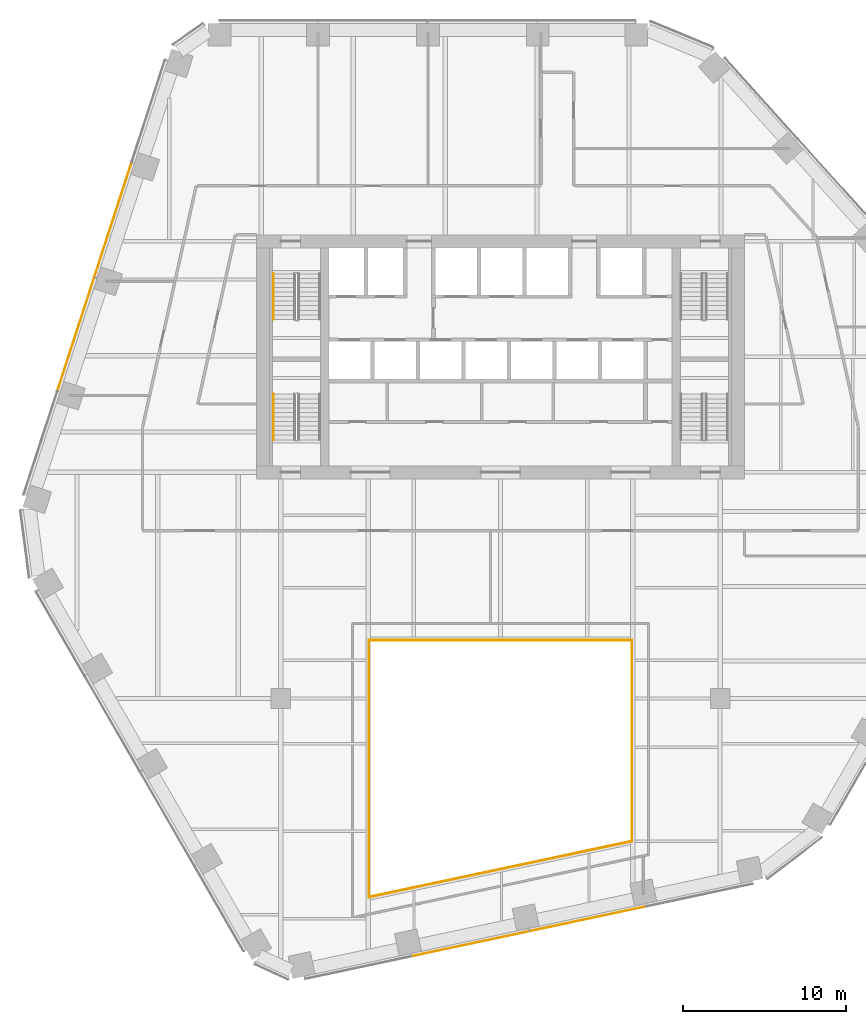
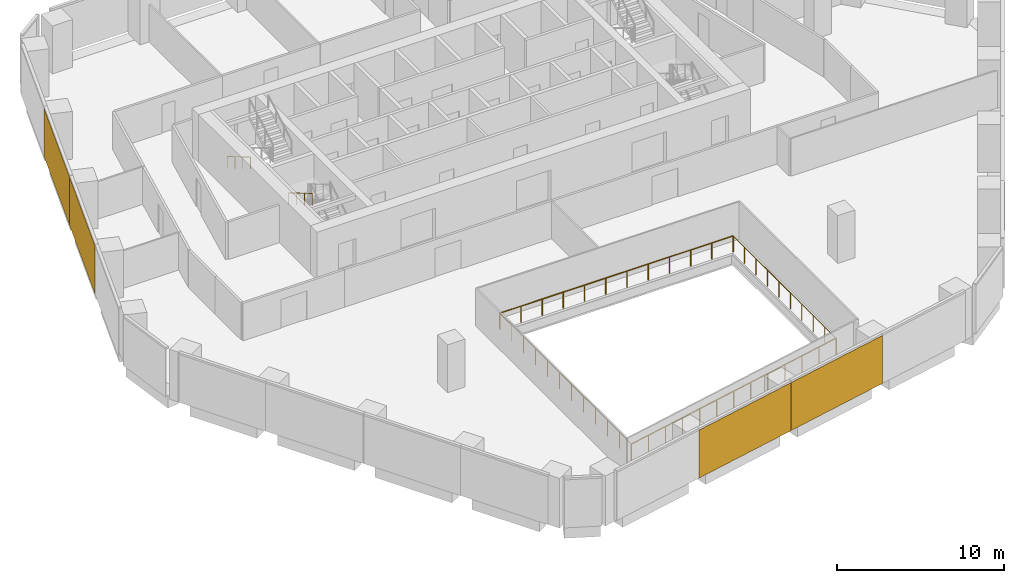
# One storey, part 14 of 16: 6 railings, 4 coverings, 2 elements without a shape of their own.
"""IFC4 building model written with IfcOpenShell, lengths in metres."""

from ifc_helpers import new_model, si_unit, direction, frame, origin, origin_2d, place, context, subcontext, project, spatial, rectangle, circle, extrude, material, layer, layer_set, type_object, element, aggregate, save


model = new_model("IFC4")

# Units and contexts
model_context = context("Model", 3, precision=1e-05, world=origin(), true_north=direction((0.0, 1.0)))
body_context = subcontext(model_context, "Body", "Model", "MODEL_VIEW")
ifc_project = project(units=[si_unit("LENGTHUNIT", "METRE"), si_unit("AREAUNIT", "SQUARE_METRE"), si_unit("VOLUMEUNIT", "CUBIC_METRE"), si_unit("PLANEANGLEUNIT", "RADIAN"), si_unit("MASSUNIT", "GRAM", prefix="KILO")], contexts=[model_context])

# Site, building, storey
site_placement = place(None, origin())
site = spatial("IfcSite", under=ifc_project, at=site_placement, CompositionType="ELEMENT")
building_placement = place(site_placement, origin())
building = spatial("IfcBuilding", under=site, at=building_placement, Name="Isthmus Gate Tower", CompositionType="ELEMENT")
storey_placement = place(building_placement, frame((0.0, 0.0, 140.75)))
storey = spatial("IfcBuildingStorey", under=building, at=storey_placement, Name="L34", CompositionType="ELEMENT", Elevation=140.75)

# Railings
ifc_material_1 = material(Name="Laminated toughened glass balustrade with steel rail", Category="steel")
railing_type_1 = type_object("IfcRailingType", Name="ATRIUM GUARD GLASS BALUSTRADE 1200", PredefinedType="GUARDRAIL", material=ifc_material_1)
railing_1_placement = place(storey_placement, frame((-8.080078125, -25.7099609375, 0.0)))
element("IfcRailing", 1, at=railing_1_placement, inside=storey, type_object=railing_type_1, Name="L34 atrium guard", PredefinedType="GUARDRAIL", context=body_context, shape_type="SweptSolid", body=[
    extrude(circle(Radius=0.02490234375, at=origin_2d()), frame((0.0, 0.0, 1.1748046875), z_axis=(0.0, 1.0, 0.0), x_axis=(-1.0, 0.0, 0.0)), (0.0, 0.0, 1.0), 15.7900390625),
    extrude(circle(Radius=0.02490234375, at=origin_2d()), origin(), (0.0, 0.0, 1.0), 1.14990234375),
    extrude(circle(Radius=0.02490234375, at=origin_2d()), frame((0.0, 1.435546875, 0.0)), (0.0, 0.0, 1.0), 1.14990234375),
    extrude(circle(Radius=0.02490234375, at=origin_2d()), frame((0.0, 2.870849609375, 0.0)), (0.0, 0.0, 1.0), 1.14990234375),
    extrude(circle(Radius=0.02490234375, at=origin_2d()), frame((0.0, 4.306396484375, 0.0)), (0.0, 0.0, 1.0), 1.14990234375),
    extrude(circle(Radius=0.02490234375, at=origin_2d()), frame((0.0, 5.741943359375, 0.0)), (0.0, 0.0, 1.0), 1.14990234375),
    extrude(circle(Radius=0.02490234375, at=origin_2d()), frame((0.0, 7.17724609375, 0.0)), (0.0, 0.0, 1.0), 1.14990234375),
    extrude(circle(Radius=0.02490234375, at=origin_2d()), frame((0.0, 8.61279296875, 0.0)), (0.0, 0.0, 1.0), 1.14990234375),
    extrude(circle(Radius=0.02490234375, at=origin_2d()), frame((0.0, 10.048095703125, 0.0)), (0.0, 0.0, 1.0), 1.14990234375),
    extrude(circle(Radius=0.02490234375, at=origin_2d()), frame((0.0, 11.483642578125, 0.0)), (0.0, 0.0, 1.0), 1.14990234375),
    extrude(circle(Radius=0.02490234375, at=origin_2d()), frame((0.0, 12.919189453125, 0.0)), (0.0, 0.0, 1.0), 1.14990234375),
    extrude(circle(Radius=0.02490234375, at=origin_2d()), frame((0.0, 14.3544921875, 0.0)), (0.0, 0.0, 1.0), 1.14990234375),
    extrude(circle(Radius=0.02490234375, at=origin_2d()), frame((0.0, 15.7900390625, 0.0)), (0.0, 0.0, 1.0), 1.14990234375),
])
railing_2_placement = place(storey_placement, frame((-8.080078125, -9.919921875, 0.0)))
element("IfcRailing", 2, at=railing_2_placement, inside=storey, type_object=railing_type_1, Name="L34 atrium guard", PredefinedType="GUARDRAIL", context=body_context, shape_type="SweptSolid", body=[
    extrude(circle(Radius=0.02490234375, at=origin_2d()), frame((0.0, 0.0, 1.1748046875), z_axis=(1.0, 0.0, 0.0), x_axis=(0.0, 1.0, 0.0)), (0.0, 0.0, 1.0), 16.16015625),
    extrude(circle(Radius=0.02490234375, at=origin_2d()), origin(), (0.0, 0.0, 1.0), 1.14990234375),
    extrude(circle(Radius=0.02490234375, at=origin_2d()), frame((1.468994140625, 0.0, 0.0)), (0.0, 0.0, 1.0), 1.14990234375),
    extrude(circle(Radius=0.02490234375, at=origin_2d()), frame((2.938232421875, 0.0, 0.0)), (0.0, 0.0, 1.0), 1.14990234375),
    extrude(circle(Radius=0.02490234375, at=origin_2d()), frame((4.4072265625, 0.0, 0.0)), (0.0, 0.0, 1.0), 1.14990234375),
    extrude(circle(Radius=0.02490234375, at=origin_2d()), frame((5.87646484375, 0.0, 0.0)), (0.0, 0.0, 1.0), 1.14990234375),
    extrude(circle(Radius=0.02490234375, at=origin_2d()), frame((7.345458984375, 0.0, 0.0)), (0.0, 0.0, 1.0), 1.14990234375),
    extrude(circle(Radius=0.02490234375, at=origin_2d()), frame((8.814697265625, 0.0, 0.0)), (0.0, 0.0, 1.0), 1.14990234375),
    extrude(circle(Radius=0.02490234375, at=origin_2d()), frame((10.28369140625, 0.0, 0.0)), (0.0, 0.0, 1.0), 1.14990234375),
    extrude(circle(Radius=0.02490234375, at=origin_2d()), frame((11.7529296875, 0.0, 0.0)), (0.0, 0.0, 1.0), 1.14990234375),
    extrude(circle(Radius=0.02490234375, at=origin_2d()), frame((13.221923828125, 0.0, 0.0)), (0.0, 0.0, 1.0), 1.14990234375),
    extrude(circle(Radius=0.02490234375, at=origin_2d()), frame((14.691162109375, 0.0, 0.0)), (0.0, 0.0, 1.0), 1.14990234375),
    extrude(circle(Radius=0.02490234375, at=origin_2d()), frame((16.16015625, 0.0, 0.0)), (0.0, 0.0, 1.0), 1.14990234375),
])
railing_3_placement = place(storey_placement, frame((8.080078125, -9.919921875, 0.0)))
element("IfcRailing", 3, at=railing_3_placement, inside=storey, type_object=railing_type_1, Name="L34 atrium guard", PredefinedType="GUARDRAIL", context=body_context, shape_type="SweptSolid", body=[
    extrude(circle(Radius=0.02490234375, at=origin_2d()), frame((0.0, 0.0, 1.1748046875), z_axis=(0.0, -1.0, 0.0), x_axis=(1.0, 0.0, 0.0)), (0.0, 0.0, 1.0), 12.35498046875),
    extrude(circle(Radius=0.02490234375, at=origin_2d()), origin(), (0.0, 0.0, 1.0), 1.14990234375),
    extrude(circle(Radius=0.02490234375, at=origin_2d()), frame((0.0, -1.372802734375, 0.0)), (0.0, 0.0, 1.0), 1.14990234375),
    extrude(circle(Radius=0.02490234375, at=origin_2d()), frame((0.0, -2.74560546875, 0.0)), (0.0, 0.0, 1.0), 1.14990234375),
    extrude(circle(Radius=0.02490234375, at=origin_2d()), frame((0.0, -4.118408203125, 0.0)), (0.0, 0.0, 1.0), 1.14990234375),
    extrude(circle(Radius=0.02490234375, at=origin_2d()), frame((0.0, -5.4912109375, 0.0)), (0.0, 0.0, 1.0), 1.14990234375),
    extrude(circle(Radius=0.02490234375, at=origin_2d()), frame((0.0, -6.86376953125, 0.0)), (0.0, 0.0, 1.0), 1.14990234375),
    extrude(circle(Radius=0.02490234375, at=origin_2d()), frame((0.0, -8.236572265625, 0.0)), (0.0, 0.0, 1.0), 1.14990234375),
    extrude(circle(Radius=0.02490234375, at=origin_2d()), frame((0.0, -9.609375, 0.0)), (0.0, 0.0, 1.0), 1.14990234375),
    extrude(circle(Radius=0.02490234375, at=origin_2d()), frame((0.0, -10.982177734375, 0.0)), (0.0, 0.0, 1.0), 1.14990234375),
    extrude(circle(Radius=0.02490234375, at=origin_2d()), frame((0.0, -12.35498046875, 0.0)), (0.0, 0.0, 1.0), 1.14990234375),
])
railing_4_placement = place(storey_placement, frame((8.080078125, -22.27490234375, 0.0)))
element("IfcRailing", 4, at=railing_4_placement, inside=storey, type_object=railing_type_1, Name="L34 atrium guard", PredefinedType="GUARDRAIL", context=body_context, shape_type="SweptSolid", body=[
    extrude(circle(Radius=0.02490234375, at=origin_2d()), frame((0.0, 0.0, 1.1748046875), z_axis=(-0.978146230105, -0.207918139013, 0.0), x_axis=(0.207918139013, -0.978146230105, 0.0)), (0.0, 0.0, 1.0), 16.521240234375),
    extrude(circle(Radius=0.02490234375, at=origin_2d()), origin(), (0.0, 0.0, 1.0), 1.14990234375),
    extrude(circle(Radius=0.02490234375, at=origin_2d()), frame((-1.3466796875, -0.2861328125, 0.0)), (0.0, 0.0, 1.0), 1.14990234375),
    extrude(circle(Radius=0.02490234375, at=origin_2d()), frame((-2.693359375, -0.572509765625, 0.0)), (0.0, 0.0, 1.0), 1.14990234375),
    extrude(circle(Radius=0.02490234375, at=origin_2d()), frame((-4.0400390625, -0.85888671875, 0.0)), (0.0, 0.0, 1.0), 1.14990234375),
    extrude(circle(Radius=0.02490234375, at=origin_2d()), frame((-5.38671875, -1.14501953125, 0.0)), (0.0, 0.0, 1.0), 1.14990234375),
    extrude(circle(Radius=0.02490234375, at=origin_2d()), frame((-6.7333984375, -1.43115234375, 0.0)), (0.0, 0.0, 1.0), 1.14990234375),
    extrude(circle(Radius=0.02490234375, at=origin_2d()), frame((-8.080078125, -1.717529296875, 0.0)), (0.0, 0.0, 1.0), 1.14990234375),
    extrude(circle(Radius=0.02490234375, at=origin_2d()), frame((-9.4267578125, -2.00390625, 0.0)), (0.0, 0.0, 1.0), 1.14990234375),
    extrude(circle(Radius=0.02490234375, at=origin_2d()), frame((-10.7734375, -2.2900390625, 0.0)), (0.0, 0.0, 1.0), 1.14990234375),
    extrude(circle(Radius=0.02490234375, at=origin_2d()), frame((-12.1201171875, -2.576171875, 0.0)), (0.0, 0.0, 1.0), 1.14990234375),
    extrude(circle(Radius=0.02490234375, at=origin_2d()), frame((-13.466796875, -2.862548828125, 0.0)), (0.0, 0.0, 1.0), 1.14990234375),
    extrude(circle(Radius=0.02490234375, at=origin_2d()), frame((-14.8134765625, -3.14892578125, 0.0)), (0.0, 0.0, 1.0), 1.14990234375),
    extrude(circle(Radius=0.02490234375, at=origin_2d()), frame((-16.16015625, -3.43505859375, 0.0)), (0.0, 0.0, 1.0), 1.14990234375),
])

# Curtain wall, coverings
ifc_material_2 = material(Name="Aluminium, pale champagne anodised", Category="aluminium")
ifc_layer_1 = layer(ifc_material_2, 0.199951171875)
ifc_layer_set_1 = layer_set([ifc_layer_1], Name="CW-1 UNITISED CURTAIN WALL 200 DEEP")
curtain_wall_type = type_object("IfcCurtainWallType", Name="CW-1 UNITISED CURTAIN WALL 200 DEEP", PredefinedType="NOTDEFINED", material=ifc_layer_set_1)
curtain_wall_1_placement = place(storey_placement, origin())
curtain_wall_1 = element("IfcCurtainWall", 5, at=curtain_wall_1_placement, inside=storey, type_object=curtain_wall_type, Name="CW-1 NW L34", PredefinedType="NOTDEFINED")
ifc_material_3 = material(Name="Aluminium composite panel, pale champagne anodised", Category="aluminium")
ifc_layer_2 = layer(ifc_material_3, 0.035888671875)
ifc_layer_set_2 = layer_set([ifc_layer_2], Name="CW-1 PALE METAL PANEL 36")
covering_type = type_object("IfcCoveringType", Name="CW-1 PALE METAL PANEL 36", PredefinedType="CLADDING", material=ifc_layer_set_2)
covering_1_placement = place(storey_placement, frame((-23.813720703125, 15.927490234375, 0.0), z_axis=(0.0, 0.0, 1.0), x_axis=(-0.309016994375, -0.951056516295, 0.0)))
covering_1 = element("IfcCovering", 6, at=covering_1_placement, type_object=covering_type, Name="CW-1 pale metal panel", PredefinedType="CLADDING", context=body_context, shape_type="SweptSolid", body=[
    extrude(rectangle(XDim=7.390869140625, YDim=0.035888671875, at=origin_2d()), origin(), (0.0, 0.0, 1.0), 3.510009765625),
])
covering_2_placement = place(storey_placement, frame((-26.10693359375, 8.8701171875, 0.0), z_axis=(0.0, 0.0, 1.0), x_axis=(-0.309016994375, -0.951056516295, 0.0)))
covering_2 = element("IfcCovering", 7, at=covering_2_placement, type_object=covering_type, Name="CW-1 pale metal panel", PredefinedType="CLADDING", context=body_context, shape_type="SweptSolid", body=[
    extrude(rectangle(XDim=7.330810546875, YDim=0.035888671875, at=origin_2d()), origin(), (0.0, 0.0, 1.0), 3.510009765625),
])
aggregate(curtain_wall_1, [covering_1, covering_2])

curtain_wall_2_placement = place(storey_placement, origin())
curtain_wall_2 = element("IfcCurtainWall", 8, at=curtain_wall_2_placement, inside=storey, type_object=curtain_wall_type, Name="CW-1 S L34", PredefinedType="NOTDEFINED")
covering_3_placement = place(storey_placement, frame((-1.88671875, -28.587158203125, 0.0), z_axis=(0.0, 0.0, 1.0), x_axis=(0.978147600734, 0.207911690818, 0.0)))
covering_3 = element("IfcCovering", 9, at=covering_3_placement, type_object=covering_type, Name="CW-1 pale metal panel", PredefinedType="CLADDING", context=body_context, shape_type="SweptSolid", body=[
    extrude(rectangle(XDim=7.390869140625, YDim=0.035888671875, at=origin_2d()), origin(), (0.0, 0.0, 1.0), 3.510009765625),
])
covering_4_placement = place(storey_placement, frame((5.371826171875, -27.044189453125, 0.0), z_axis=(0.0, 0.0, 1.0), x_axis=(0.978147600734, 0.207911690818, 0.0)))
covering_4 = element("IfcCovering", 10, at=covering_4_placement, type_object=covering_type, Name="CW-1 pale metal panel", PredefinedType="CLADDING", context=body_context, shape_type="SweptSolid", body=[
    extrude(rectangle(XDim=7.330810546875, YDim=0.035888671875, at=origin_2d()), origin(), (0.0, 0.0, 1.0), 3.510009765625),
])
aggregate(curtain_wall_2, [covering_3, covering_4])

# Railings
ifc_material_4 = material(Name="Stainless steel handrail", Category="steel")
railing_type_2 = type_object("IfcRailingType", Name="STAIR HANDRAIL 900", PredefinedType="HANDRAIL", material=ifc_material_4)
for number, where, name in (
    (11, (-13.949951171875, 12.60009765625, 0.166015625), "L34 ST1 stair handrail 1"),
    (12, (-13.949951171875, 5.199951171875, 1.990966796875), "L34 ST7 stair handrail 2"),
):
    element("IfcRailing", number, at=place(storey_placement, frame(where)), inside=storey, type_object=railing_type_2, Name=name, PredefinedType="HANDRAIL", context=body_context, shape_type="SweptSolid", body=[
        extrude(circle(Radius=0.02392578125, at=origin_2d()), frame((0.0, 0.0, 0.8759765625), z_axis=(0.0, -0.860339051648, 0.50972219513), x_axis=(1.0, 0.0, 0.0)), (0.0, 0.0, 1.0), 3.254638671875),
        extrude(circle(Radius=0.02099609375, at=origin_2d()), origin(), (0.0, 0.0, 1.0), 0.851806640625),
        extrude(circle(Radius=0.02099609375, at=origin_2d()), frame((0.0, -0.933349609375, 0.552978515625)), (0.0, 0.0, 1.0), 0.851806640625),
        extrude(circle(Radius=0.02099609375, at=origin_2d()), frame((0.0, -1.86669921875, 1.10595703125)), (0.0, 0.0, 1.0), 0.851806640625),
        extrude(circle(Radius=0.02099609375, at=origin_2d()), frame((0.0, -2.800048828125, 1.658935546875)), (0.0, 0.0, 1.0), 0.851806640625),
    ])

save(model, "model.ifc")
